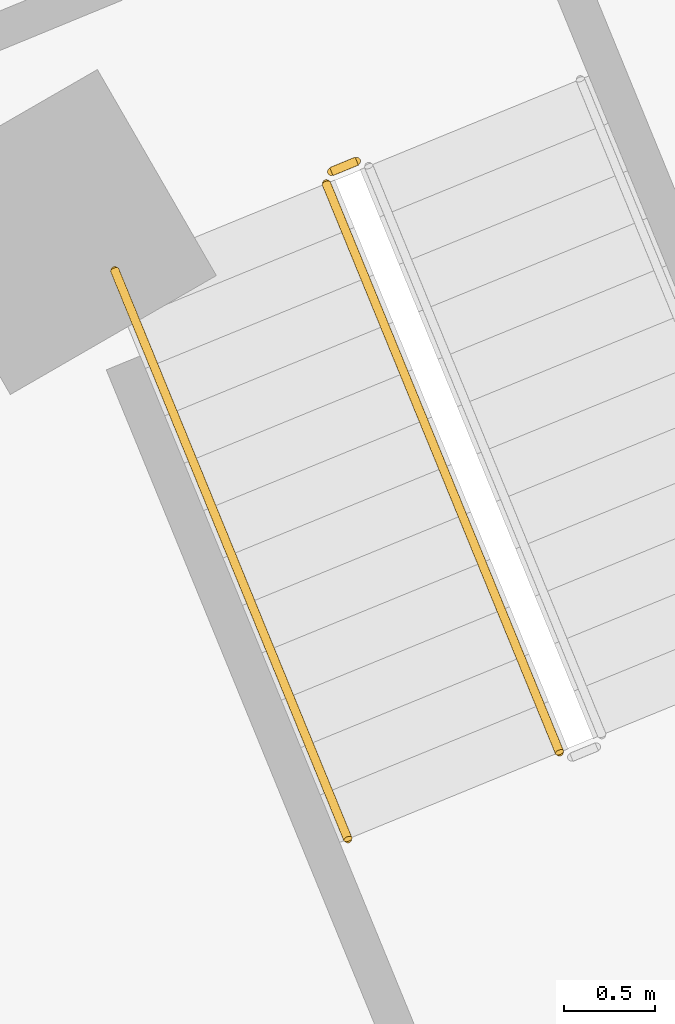
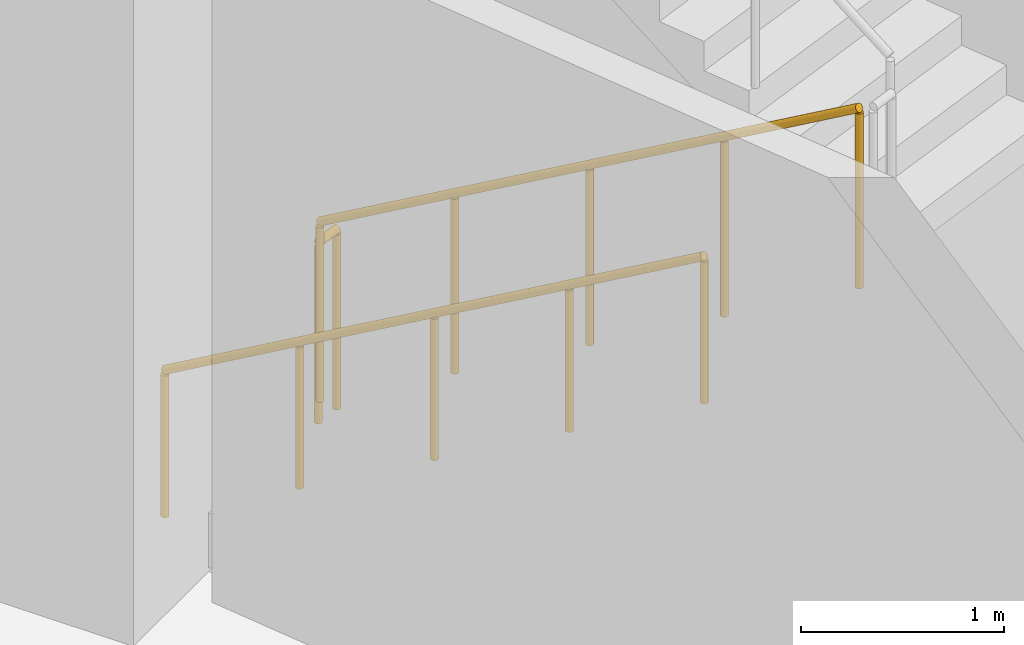
# One storey, part 37 of 39: 3 railings.
"""IFC4 building model written with IfcOpenShell, lengths in metres."""

from ifc_helpers import new_model, si_unit, direction, frame, origin, origin_2d, place, context, subcontext, project, spatial, circle, extrude, material, type_object, element, save


model = new_model("IFC4")

# Units and contexts
model_context = context("Model", 3, precision=1e-05, world=origin(), true_north=direction((0.0, 1.0)))
body_context = subcontext(model_context, "Body", "Model", "MODEL_VIEW")
ifc_project = project(units=[si_unit("LENGTHUNIT", "METRE"), si_unit("AREAUNIT", "SQUARE_METRE"), si_unit("VOLUMEUNIT", "CUBIC_METRE"), si_unit("PLANEANGLEUNIT", "RADIAN"), si_unit("MASSUNIT", "GRAM", prefix="KILO")], contexts=[model_context])

# Site, building, storey
site_placement = place(None, origin())
site = spatial("IfcSite", under=ifc_project, at=site_placement, CompositionType="ELEMENT")
building_placement = place(site_placement, origin())
building = spatial("IfcBuilding", under=site, at=building_placement, Name="Stone Belt Terrace Tower", CompositionType="ELEMENT")
storey_placement = place(building_placement, frame((0.0, 0.0, 20.800048828125)))
storey = spatial("IfcBuildingStorey", under=building, at=storey_placement, Name="L04", CompositionType="ELEMENT", Elevation=20.800048828125)

# Railings
ifc_material_1 = material(Name="Steel balustrade", Category="steel")
railing_type_1 = type_object("IfcRailingType", Name="Podium stair guard", PredefinedType="GUARDRAIL", material=ifc_material_1)
railing_1_placement = place(storey_placement, frame((58.204345703125, 33.009521484375, 0.1767578125)))
element("IfcRailing", 1, at=railing_1_placement, inside=storey, type_object=railing_type_1, Name="L04 PS4 stair guard 1", PredefinedType="GUARDRAIL", context=body_context, shape_type="SweptSolid", body=[
    extrude(circle(Radius=0.02392578125, at=origin_2d()), frame((0.0, 0.0, 1.076171875), z_axis=(0.320637269104, -0.782182947274, 0.534211174214), x_axis=(0.925275877227, 0.379294807533, 0.0)), (0.0, 0.0, 1.0), 3.974609375),
    extrude(circle(Radius=0.02099609375, at=origin_2d()), origin(), (0.0, 0.0, 1.0), 1.052001953125),
    extrude(circle(Radius=0.02099609375, at=origin_2d()), frame((0.318603515625, -0.77734375, 0.53076171875)), (0.0, 0.0, 1.0), 1.052001953125),
    extrude(circle(Radius=0.02099609375, at=origin_2d()), frame((0.63720703125, -1.554443359375, 1.0615234375)), (0.0, 0.0, 1.0), 1.052001953125),
    extrude(circle(Radius=0.02099609375, at=origin_2d()), frame((0.955810546875, -2.33154296875, 1.592529296875)), (0.0, 0.0, 1.0), 1.052001953125),
    extrude(circle(Radius=0.02099609375, at=origin_2d()), frame((1.2744140625, -3.10888671875, 2.123291015625)), (0.0, 0.0, 1.0), 1.052001953125),
])
railing_2_placement = place(storey_placement, frame((58.231689453125, 33.07470703125, 0.0)))
element("IfcRailing", 2, at=railing_2_placement, inside=storey, type_object=railing_type_1, Name="L04 PS4 stair guard 4", PredefinedType="GUARDRAIL", context=body_context, shape_type="SweptSolid", body=[
    extrude(circle(Radius=0.02392578125, at=origin_2d()), frame((0.0, 0.0, 1.076171875), z_axis=(0.925417366351, 0.378949466362, 0.0), x_axis=(-0.378949466362, 0.925417366351, 0.0)), (0.0, 0.0, 1.0), 0.150146484375),
    extrude(circle(Radius=0.02099609375, at=origin_2d()), origin(), (0.0, 0.0, 1.0), 1.052001953125),
    extrude(circle(Radius=0.02099609375, at=origin_2d()), frame((0.138916015625, 0.056884765625, 0.0)), (0.0, 0.0, 1.0), 1.052001953125),
])
ifc_material_2 = material(Name="Stainless steel handrail", Category="steel")
railing_type_2 = type_object("IfcRailingType", Name="Podium stair handrail", PredefinedType="HANDRAIL", material=ifc_material_2)
railing_3_placement = place(storey_placement, frame((57.0478515625, 32.535400390625, 0.1767578125)))
element("IfcRailing", 3, at=railing_3_placement, inside=storey, type_object=railing_type_2, Name="L04 PS4 stair handrail 1", PredefinedType="HANDRAIL", context=body_context, shape_type="SweptSolid", body=[
    extrude(circle(Radius=0.02392578125, at=origin_2d()), frame((0.0, 0.0, 0.8759765625), z_axis=(0.320582157685, -0.7821983514, 0.534221694843), x_axis=(0.925301376681, 0.379232596584, 0.0)), (0.0, 0.0, 1.0), 3.974609375),
    extrude(circle(Radius=0.02099609375, at=origin_2d()), origin(), (0.0, 0.0, 1.0), 0.851806640625),
    extrude(circle(Radius=0.02099609375, at=origin_2d()), frame((0.318603515625, -0.77734375, 0.53076171875)), (0.0, 0.0, 1.0), 0.851806640625),
    extrude(circle(Radius=0.02099609375, at=origin_2d()), frame((0.63720703125, -1.554443359375, 1.0615234375)), (0.0, 0.0, 1.0), 0.851806640625),
    extrude(circle(Radius=0.02099609375, at=origin_2d()), frame((0.95556640625, -2.33154296875, 1.592529296875)), (0.0, 0.0, 1.0), 0.851806640625),
    extrude(circle(Radius=0.02099609375, at=origin_2d()), frame((1.274169921875, -3.10888671875, 2.123291015625)), (0.0, 0.0, 1.0), 0.851806640625),
])

save(model, "model.ifc")
